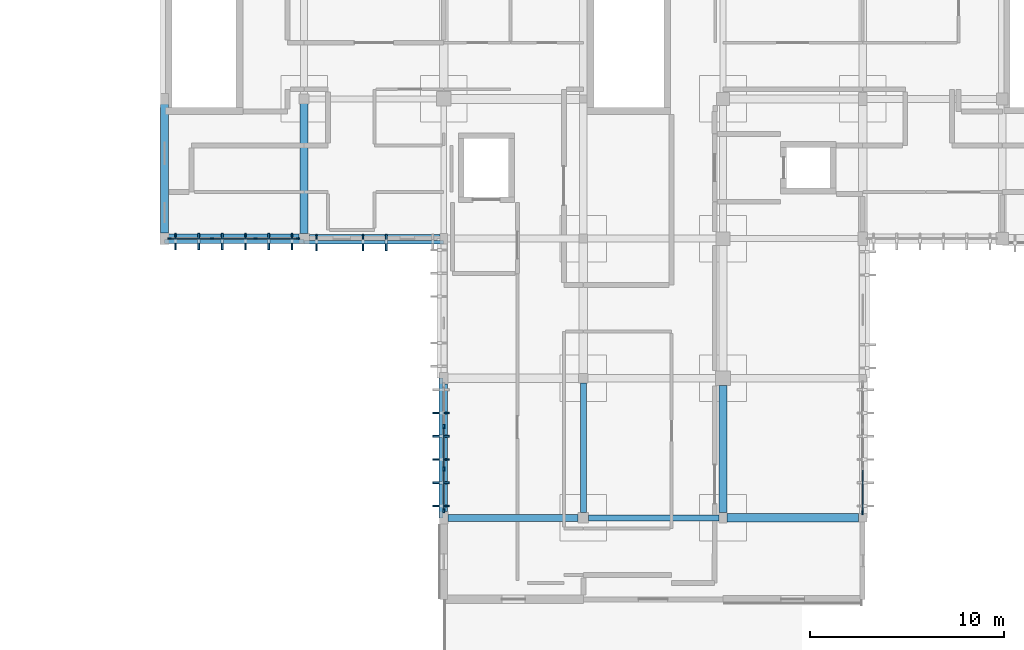
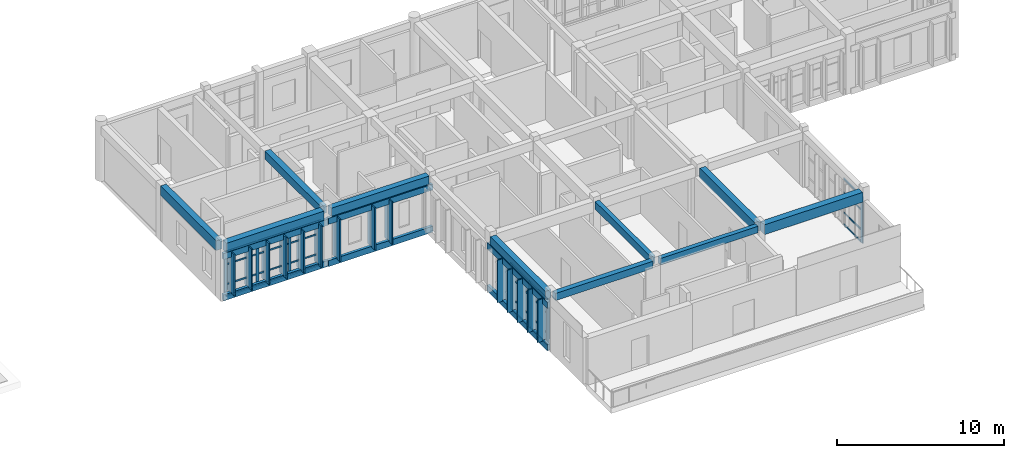
# One storey, part 2 of 19: 46 members, 16 beams, 3 elements without a shape of their own.
"""IFC4 building model written with IfcOpenShell, lengths in metres."""

from ifc_helpers import new_model, si_unit, direction, frame, origin, origin_2d, place, context, subcontext, project, spatial, rectangle, extrude, material, material_profile, profile_set, type_object, element, aggregate, save


model = new_model("IFC4")

# Units and contexts
model_context = context("Model", 3, precision=1e-05, world=origin(), true_north=direction((0.0, 1.0)))
body_context = subcontext(model_context, "Body", "Model", "MODEL_VIEW")
ifc_project = project(units=[si_unit("LENGTHUNIT", "METRE"), si_unit("AREAUNIT", "SQUARE_METRE"), si_unit("VOLUMEUNIT", "CUBIC_METRE"), si_unit("PLANEANGLEUNIT", "RADIAN"), si_unit("MASSUNIT", "GRAM", prefix="KILO")], contexts=[model_context])

# Site, building, storey
site_placement = place(None, origin())
site = spatial("IfcSite", under=ifc_project, at=site_placement, CompositionType="ELEMENT")
building_placement = place(site_placement, origin())
building = spatial("IfcBuilding", under=site, at=building_placement, Name="Steenspoor Specialist Clinic", CompositionType="ELEMENT")
storey_placement = place(building_placement, frame((0.0, 0.0, 21.60009765625)))
storey = spatial("IfcBuildingStorey", under=building, at=storey_placement, Name="L05", CompositionType="ELEMENT", Elevation=21.60009765625)

# Beams
ifc_material_1 = material(Name="Glulam GL28h", Category="wood")
ifc_material_profile_1 = material_profile(ifc_material_1, rectangle(XDim=0.199951171875, YDim=0.43994140625, at=origin_2d()), Name="GL28H-200X440")
ifc_profile_set_1 = profile_set([ifc_material_profile_1], Name="Glulam GL28h")
beam_type_1 = type_object("IfcBeamType", Name="BM-GL-200X440", PredefinedType="BEAM", material=ifc_profile_set_1)
for number, where, z_axis, x_axis, name in (
    (1, (73.85009765625, 79.550048828125, 0.139892578125), (0.0, 1.0, 0.0), (-1.0, 0.0, 0.0), "Timber Screen Tie Rail V4 L05 99"),
    (2, (73.85009765625, 79.550048828125, 3.22998046875), (0.0, 1.0, 0.0), (-1.0, 0.0, 0.0), "Timber Screen Tie Rail V4 L05 100"),
    (3, (74.0, 93.760009765625, 0.139892578125), (-1.0, 0.0, 0.0), (0.0, -1.0, 0.0), "Timber Screen Tie Rail V4 L05 114"),
    (4, (74.0, 93.760009765625, 3.219970703125), (-1.0, 0.0, 0.0), (0.0, -1.0, 0.0), "Timber Screen Tie Rail V4 L05 115"),
    (5, (66.800048828125, 93.800048828125, 0.139892578125), (-1.0, 0.0, 0.0), (0.0, -1.0, 0.0), "Timber Screen Tie Rail V4 L05 120"),
    (6, (66.800048828125, 93.800048828125, 3.14990234375), (-1.0, 0.0, 0.0), (0.0, -1.0, 0.0), "Timber Screen Tie Rail V4 L05 121"),
):
    element("IfcBeam", number, at=place(storey_placement, frame(where, z_axis=z_axis, x_axis=x_axis)), inside=storey, type_object=beam_type_1, Name=name, PredefinedType="BEAM", context=body_context, shape_type="SweptSolid", body=[
        extrude(rectangle(XDim=0.199951171875, YDim=0.43994140625, at=origin_2d()), origin(), (0.0, 0.0, 1.0), 7.199951171875),
    ])
ifc_material_2 = material(Name="Concrete C35/45", Category="concrete")
ifc_material_profile_2 = material_profile(ifc_material_2, rectangle(XDim=0.300048828125, YDim=0.47998046875, at=origin_2d()), Name="RC-BM-300X480")
ifc_profile_set_2 = profile_set([ifc_material_profile_2], Name="Concrete C35/45")
beam_type_2 = type_object("IfcBeamType", Name="BM-RC-300X480", PredefinedType="BEAM", material=ifc_profile_set_2)
beam_1_placement = place(storey_placement, frame((81.469970703125, 79.550048828125, 3.794921875), z_axis=(1.0, 0.0, 0.0), x_axis=(0.0, 1.0, 0.0)))
element("IfcBeam", 7, at=beam_1_placement, inside=storey, type_object=beam_type_2, Name="BM-V4-L05-X1005", PredefinedType="BEAM", context=body_context, shape_type="SweptSolid", body=[
    extrude(rectangle(XDim=0.300048828125, YDim=0.47998046875, at=origin_2d()), origin(), (0.0, 0.0, 1.0), 6.735107421875),
])
ifc_material_profile_3 = material_profile(ifc_material_2, rectangle(XDim=0.300048828125, YDim=0.550048828125, at=origin_2d()), Name="RC-BM-300X550")
ifc_profile_set_3 = profile_set([ifc_material_profile_3], Name="Concrete C35/45")
beam_type_3 = type_object("IfcBeamType", Name="BM-RC-300X550", PredefinedType="BEAM", material=ifc_profile_set_3)
beam_2_placement = place(storey_placement, frame((81.199951171875, 79.820068359375, 3.760009765625), z_axis=(0.0, 1.0, 0.0), x_axis=(-1.0, 0.0, 0.0)))
element("IfcBeam", 8, at=beam_2_placement, inside=storey, type_object=beam_type_3, Name="BM-V4-L05-Y1036", PredefinedType="BEAM", context=body_context, shape_type="SweptSolid", body=[
    extrude(rectangle(XDim=0.300048828125, YDim=0.550048828125, at=origin_2d()), origin(), (0.0, 0.0, 1.0), 6.684814453125),
])
ifc_material_profile_4 = material_profile(ifc_material_2, rectangle(XDim=0.35009765625, YDim=0.52001953125, at=origin_2d()), Name="RC-BM-350X520")
ifc_profile_set_4 = profile_set([ifc_material_profile_4], Name="Concrete C35/45")
beam_type_4 = type_object("IfcBeamType", Name="BM-RC-350X520", PredefinedType="BEAM", material=ifc_profile_set_4)
beam_3_placement = place(storey_placement, frame((74.219970703125, 79.550048828125, 3.77490234375), z_axis=(1.0, 0.0, 0.0), x_axis=(0.0, 1.0, 0.0)))
element("IfcBeam", 9, at=beam_3_placement, inside=storey, type_object=beam_type_4, Name="BM-V4-L05-X1004", PredefinedType="BEAM", context=body_context, shape_type="SweptSolid", body=[
    extrude(rectangle(XDim=0.35009765625, YDim=0.52001953125, at=origin_2d()), origin(), (0.0, 0.0, 1.0), 6.7099609375),
])
ifc_material_profile_5 = material_profile(ifc_material_2, rectangle(XDim=0.39990234375, YDim=0.580078125, at=origin_2d()), Name="RC-BM-400X580")
ifc_profile_set_5 = profile_set([ifc_material_profile_5], Name="Concrete C35/45")
beam_type_5 = type_object("IfcBeamType", Name="BM-RC-400X580", PredefinedType="BEAM", material=ifc_profile_set_5)
beam_4_placement = place(storey_placement, frame((66.800048828125, 94.219970703125, 3.744873046875), z_axis=(0.0, 1.0, 0.0), x_axis=(-1.0, 0.0, 0.0)))
element("IfcBeam", 10, at=beam_4_placement, inside=storey, type_object=beam_type_5, Name="BM-V4-L05-Y1030", PredefinedType="BEAM", context=body_context, shape_type="SweptSolid", body=[
    extrude(rectangle(XDim=0.39990234375, YDim=0.580078125, at=origin_2d()), origin(), (0.0, 0.0, 1.0), 6.68505859375),
])
beam_5_placement = place(storey_placement, frame((74.0, 79.8701171875, 3.744873046875), z_axis=(0.0, 1.0, 0.0), x_axis=(-1.0, 0.0, 0.0)))
element("IfcBeam", 11, at=beam_5_placement, inside=storey, type_object=beam_type_5, Name="BM-V4-L05-Y1032", PredefinedType="BEAM", context=body_context, shape_type="SweptSolid", body=[
    extrude(rectangle(XDim=0.39990234375, YDim=0.580078125, at=origin_2d()), origin(), (0.0, 0.0, 1.0), 6.5849609375),
])
ifc_material_profile_6 = material_profile(ifc_material_2, rectangle(XDim=0.39990234375, YDim=0.64990234375, at=origin_2d()), Name="RC-BM-400X650")
ifc_profile_set_6 = profile_set([ifc_material_profile_6], Name="Concrete C35/45")
beam_type_6 = type_object("IfcBeamType", Name="BM-RC-400X650", PredefinedType="BEAM", material=ifc_profile_set_6)
beam_6_placement = place(storey_placement, frame((67.070068359375, 93.949951171875, 3.7099609375), z_axis=(1.0, 0.0, 0.0), x_axis=(0.0, 1.0, 0.0)))
element("IfcBeam", 12, at=beam_6_placement, inside=storey, type_object=beam_type_6, Name="BM-V4-L05-X1011", PredefinedType="BEAM", context=body_context, shape_type="SweptSolid", body=[
    extrude(rectangle(XDim=0.39990234375, YDim=0.64990234375, at=origin_2d()), origin(), (0.0, 0.0, 1.0), 6.73486328125),
])
ifc_material_profile_7 = material_profile(ifc_material_2, rectangle(XDim=0.39990234375, YDim=0.699951171875, at=origin_2d()), Name="RC-BM-400X700")
ifc_profile_set_7 = profile_set([ifc_material_profile_7], Name="Concrete C35/45")
beam_type_7 = type_object("IfcBeamType", Name="BM-RC-400X700", PredefinedType="BEAM", material=ifc_profile_set_7)
beam_7_placement = place(storey_placement, frame((59.60009765625, 94.2451171875, 3.684814453125), z_axis=(0.0, 1.0, 0.0), x_axis=(-1.0, 0.0, 0.0)))
element("IfcBeam", 13, at=beam_7_placement, inside=storey, type_object=beam_type_7, Name="BM-V4-L05-Y1028", PredefinedType="BEAM", context=body_context, shape_type="SweptSolid", body=[
    extrude(rectangle(XDim=0.39990234375, YDim=0.699951171875, at=origin_2d()), origin(), (0.0, 0.0, 1.0), 6.634765625),
])
beam_8_placement = place(storey_placement, frame((88.39990234375, 79.820068359375, 3.684814453125), z_axis=(0.0, 1.0, 0.0), x_axis=(-1.0, 0.0, 0.0)))
element("IfcBeam", 14, at=beam_8_placement, inside=storey, type_object=beam_type_7, Name="BM-V4-L05-Y1040", PredefinedType="BEAM", context=body_context, shape_type="SweptSolid", body=[
    extrude(rectangle(XDim=0.39990234375, YDim=0.699951171875, at=origin_2d()), origin(), (0.0, 0.0, 1.0), 6.559814453125),
])
ifc_material_profile_8 = material_profile(ifc_material_2, rectangle(XDim=0.449951171875, YDim=0.719970703125, at=origin_2d()), Name="RC-BM-450X720")
ifc_profile_set_8 = profile_set([ifc_material_profile_8], Name="Concrete C35/45")
beam_type_8 = type_object("IfcBeamType", Name="BM-RC-450X720", PredefinedType="BEAM", material=ifc_profile_set_8)
beam_9_placement = place(storey_placement, frame((88.594970703125, 79.550048828125, 3.6748046875), z_axis=(1.0, 0.0, 0.0), x_axis=(0.0, 1.0, 0.0)))
element("IfcBeam", 15, at=beam_9_placement, inside=storey, type_object=beam_type_8, Name="BM-V4-L05-X1006", PredefinedType="BEAM", context=body_context, shape_type="SweptSolid", body=[
    extrude(rectangle(XDim=0.449951171875, YDim=0.719970703125, at=origin_2d()), origin(), (0.0, 0.0, 1.0), 6.784912109375),
])
beam_10_placement = place(storey_placement, frame((59.820068359375, 93.949951171875, 3.6748046875), z_axis=(1.0, 0.0, 0.0), x_axis=(0.0, 1.0, 0.0)))
element("IfcBeam", 16, at=beam_10_placement, inside=storey, type_object=beam_type_8, Name="BM-V4-L05-X1010", PredefinedType="BEAM", context=body_context, shape_type="SweptSolid", body=[
    extrude(rectangle(XDim=0.449951171875, YDim=0.719970703125, at=origin_2d()), origin(), (0.0, 0.0, 1.0), 6.7099609375),
])

# Curtain wall, members
ifc_material_3 = material(Name="Thermally broken aluminium and low-emissivity glass", Category="aluminium")
curtain_wall_type_1 = type_object("IfcCurtainWallType", Name="CW-TYP-420X355", PredefinedType="USERDEFINED", material=ifc_material_3)
curtain_wall_1_placement = place(storey_placement, origin())
curtain_wall_1 = element("IfcCurtainWall", 17, at=curtain_wall_1_placement, inside=storey, type_object=curtain_wall_type_1, Name="Unitised Curtain Wall CW-V4-L05-133", ObjectType="UNITISED GLAZING", PredefinedType="USERDEFINED")
ifc_material_4 = material(Name="Thermally broken aluminium 6063-T6", Category="aluminium")
ifc_material_profile_9 = material_profile(ifc_material_4, rectangle(XDim=0.080078125, YDim=0.179931640625, at=origin_2d()), Name="CWM-80X180")
ifc_profile_set_9 = profile_set([ifc_material_profile_9], Name="Thermally broken aluminium 6063-T6")
member_type_1 = type_object("IfcMemberType", Name="CW-MULL-80X180", PredefinedType="MULLION", material=ifc_profile_set_9)
member_1_placement = place(storey_placement, frame((66.485107421875, 93.949951171875, 0.0), z_axis=(0.0, 0.0, 1.0), x_axis=(0.0, -1.0, 0.0)))
member_1 = element("IfcMember", 18, at=member_1_placement, type_object=member_type_1, Name="CW-13 mullion 1", PredefinedType="MULLION", context=body_context, shape_type="SweptSolid", body=[
    extrude(rectangle(XDim=0.080078125, YDim=0.179931640625, at=origin_2d()), origin(), (0.0, 0.0, 1.0), 3.2998046875),
])
member_2_placement = place(storey_placement, frame((64.291748046875, 93.949951171875, 0.0), z_axis=(0.0, 0.0, 1.0), x_axis=(0.0, -1.0, 0.0)))
member_2 = element("IfcMember", 19, at=member_2_placement, type_object=member_type_1, Name="CW-13 mullion 2", PredefinedType="MULLION", context=body_context, shape_type="SweptSolid", body=[
    extrude(rectangle(XDim=0.080078125, YDim=0.179931640625, at=origin_2d()), origin(), (0.0, 0.0, 1.0), 3.2998046875),
])
member_3_placement = place(storey_placement, frame((62.058349609375, 93.949951171875, 0.0), z_axis=(0.0, 0.0, 1.0), x_axis=(0.0, -1.0, 0.0)))
member_3 = element("IfcMember", 20, at=member_3_placement, type_object=member_type_1, Name="CW-13 mullion 3", PredefinedType="MULLION", context=body_context, shape_type="SweptSolid", body=[
    extrude(rectangle(XDim=0.080078125, YDim=0.179931640625, at=origin_2d()), origin(), (0.0, 0.0, 1.0), 3.2998046875),
])
member_4_placement = place(storey_placement, frame((59.864990234375, 93.949951171875, 0.0), z_axis=(0.0, 0.0, 1.0), x_axis=(0.0, -1.0, 0.0)))
member_4 = element("IfcMember", 21, at=member_4_placement, type_object=member_type_1, Name="CW-13 mullion 4", PredefinedType="MULLION", context=body_context, shape_type="SweptSolid", body=[
    extrude(rectangle(XDim=0.080078125, YDim=0.179931640625, at=origin_2d()), origin(), (0.0, 0.0, 1.0), 3.2998046875),
])

curtain_wall_type_2 = type_object("IfcCurtainWallType", Name="CW-TYP-480X355", PredefinedType="USERDEFINED", material=ifc_material_3)
curtain_wall_2_placement = place(storey_placement, origin())
curtain_wall_2 = element("IfcCurtainWall", 22, at=curtain_wall_2_placement, inside=storey, type_object=curtain_wall_type_2, Name="Unitised Curtain Wall CW-V4-L05-132", ObjectType="UNITISED GLAZING", PredefinedType="USERDEFINED")
ifc_material_profile_10 = material_profile(ifc_material_4, rectangle(XDim=0.080078125, YDim=0.219970703125, at=origin_2d()), Name="CWM-80X220")
ifc_profile_set_10 = profile_set([ifc_material_profile_10], Name="Thermally broken aluminium 6063-T6")
member_type_2 = type_object("IfcMemberType", Name="CW-MULL-80X220", PredefinedType="MULLION", material=ifc_profile_set_10)
member_5_placement = place(storey_placement, frame((74.0, 79.9150390625, 0.0), z_axis=(0.0, 0.0, 1.0), x_axis=(-1.0, 0.0, 0.0)))
member_5 = element("IfcMember", 23, at=member_5_placement, type_object=member_type_2, Name="CW-12 mullion 1", PredefinedType="MULLION", context=body_context, shape_type="SweptSolid", body=[
    extrude(rectangle(XDim=0.080078125, YDim=0.219970703125, at=origin_2d()), origin(), (0.0, 0.0, 1.0), 3.3798828125),
])
member_6_placement = place(storey_placement, frame((74.0, 82.066650390625, 0.0), z_axis=(0.0, 0.0, 1.0), x_axis=(-1.0, 0.0, 0.0)))
member_6 = element("IfcMember", 24, at=member_6_placement, type_object=member_type_2, Name="CW-12 mullion 2", PredefinedType="MULLION", context=body_context, shape_type="SweptSolid", body=[
    extrude(rectangle(XDim=0.080078125, YDim=0.219970703125, at=origin_2d()), origin(), (0.0, 0.0, 1.0), 3.3798828125),
])
member_7_placement = place(storey_placement, frame((74.0, 84.25830078125, 0.0), z_axis=(0.0, 0.0, 1.0), x_axis=(-1.0, 0.0, 0.0)))
member_7 = element("IfcMember", 25, at=member_7_placement, type_object=member_type_2, Name="CW-12 mullion 3", PredefinedType="MULLION", context=body_context, shape_type="SweptSolid", body=[
    extrude(rectangle(XDim=0.080078125, YDim=0.219970703125, at=origin_2d()), origin(), (0.0, 0.0, 1.0), 3.3798828125),
])

# Curtain wall, member
curtain_wall_type_3 = type_object("IfcCurtainWallType", Name="CW-SCR-480X320", PredefinedType="USERDEFINED", material=ifc_material_3)
curtain_wall_3_placement = place(storey_placement, origin())
curtain_wall_3 = element("IfcCurtainWall", 26, at=curtain_wall_3_placement, inside=storey, type_object=curtain_wall_type_3, Name="Unitised Curtain Wall CW-V4-L05-138", ObjectType="UNITISED GLAZING", PredefinedType="USERDEFINED")
member_8_placement = place(storey_placement, frame((95.60009765625, 79.81494140625, 0.0), z_axis=(0.0, 0.0, 1.0), x_axis=(1.0, 0.0, 0.0)))
member_8 = element("IfcMember", 27, at=member_8_placement, type_object=member_type_2, Name="CW-18 mullion 4", PredefinedType="MULLION", context=body_context, shape_type="SweptSolid", body=[
    extrude(rectangle(XDim=0.080078125, YDim=0.219970703125, at=origin_2d()), origin(), (0.0, 0.0, 1.0), 3.3798828125),
])

# Member
ifc_material_profile_11 = material_profile(ifc_material_4, rectangle(XDim=0.06005859375, YDim=0.114990234375, at=origin_2d()), Name="CWT-60X115")
ifc_profile_set_11 = profile_set([ifc_material_profile_11], Name="Thermally broken aluminium 6063-T6")
member_type_3 = type_object("IfcMemberType", Name="CW-TRAN-60X115", PredefinedType="USERDEFINED", material=ifc_profile_set_11)
member_9_placement = place(storey_placement, frame((66.445068359375, 93.949951171875, 0.02978515625), z_axis=(-1.0, 0.0, 0.0), x_axis=(0.0, -1.0, 0.0)))
member_9 = element("IfcMember", 28, at=member_9_placement, type_object=member_type_3, Name="CW-13 transom 1.1", ObjectType="TRANSOM", PredefinedType="USERDEFINED", context=body_context, shape_type="SweptSolid", body=[
    extrude(rectangle(XDim=0.06005859375, YDim=0.114990234375, at=origin_2d()), origin(), (0.0, 0.0, 1.0), 2.11328125),
])

member_10_placement = place(storey_placement, frame((66.445068359375, 93.949951171875, 0.89990234375), z_axis=(-1.0, 0.0, 0.0), x_axis=(0.0, -1.0, 0.0)))
member_10 = element("IfcMember", 29, at=member_10_placement, type_object=member_type_3, Name="CW-13 transom 1.2", ObjectType="TRANSOM", PredefinedType="USERDEFINED", context=body_context, shape_type="SweptSolid", body=[
    extrude(rectangle(XDim=0.06005859375, YDim=0.114990234375, at=origin_2d()), origin(), (0.0, 0.0, 1.0), 2.11328125),
])

member_11_placement = place(storey_placement, frame((66.445068359375, 93.949951171875, 2.349853515625), z_axis=(-1.0, 0.0, 0.0), x_axis=(0.0, -1.0, 0.0)))
member_11 = element("IfcMember", 30, at=member_11_placement, type_object=member_type_3, Name="CW-13 transom 1.3", ObjectType="TRANSOM", PredefinedType="USERDEFINED", context=body_context, shape_type="SweptSolid", body=[
    extrude(rectangle(XDim=0.06005859375, YDim=0.114990234375, at=origin_2d()), origin(), (0.0, 0.0, 1.0), 2.11328125),
])

member_12_placement = place(storey_placement, frame((66.445068359375, 93.949951171875, 3.27001953125), z_axis=(-1.0, 0.0, 0.0), x_axis=(0.0, -1.0, 0.0)))
member_12 = element("IfcMember", 31, at=member_12_placement, type_object=member_type_3, Name="CW-13 transom 1.4", ObjectType="TRANSOM", PredefinedType="USERDEFINED", context=body_context, shape_type="SweptSolid", body=[
    extrude(rectangle(XDim=0.06005859375, YDim=0.114990234375, at=origin_2d()), origin(), (0.0, 0.0, 1.0), 2.11328125),
])

member_13_placement = place(storey_placement, frame((64.251708984375, 93.949951171875, 0.02978515625), z_axis=(-1.0, 0.0, 0.0), x_axis=(0.0, -1.0, 0.0)))
member_13 = element("IfcMember", 32, at=member_13_placement, type_object=member_type_3, Name="CW-13 transom 2.1", ObjectType="TRANSOM", PredefinedType="USERDEFINED", context=body_context, shape_type="SweptSolid", body=[
    extrude(rectangle(XDim=0.06005859375, YDim=0.114990234375, at=origin_2d()), origin(), (0.0, 0.0, 1.0), 2.1533203125),
])

member_14_placement = place(storey_placement, frame((64.251708984375, 93.949951171875, 0.89990234375), z_axis=(-1.0, 0.0, 0.0), x_axis=(0.0, -1.0, 0.0)))
member_14 = element("IfcMember", 33, at=member_14_placement, type_object=member_type_3, Name="CW-13 transom 2.2", ObjectType="TRANSOM", PredefinedType="USERDEFINED", context=body_context, shape_type="SweptSolid", body=[
    extrude(rectangle(XDim=0.06005859375, YDim=0.114990234375, at=origin_2d()), origin(), (0.0, 0.0, 1.0), 2.1533203125),
])

member_15_placement = place(storey_placement, frame((64.251708984375, 93.949951171875, 2.349853515625), z_axis=(-1.0, 0.0, 0.0), x_axis=(0.0, -1.0, 0.0)))
member_15 = element("IfcMember", 34, at=member_15_placement, type_object=member_type_3, Name="CW-13 transom 2.3", ObjectType="TRANSOM", PredefinedType="USERDEFINED", context=body_context, shape_type="SweptSolid", body=[
    extrude(rectangle(XDim=0.06005859375, YDim=0.114990234375, at=origin_2d()), origin(), (0.0, 0.0, 1.0), 2.1533203125),
])

member_16_placement = place(storey_placement, frame((64.251708984375, 93.949951171875, 3.27001953125), z_axis=(-1.0, 0.0, 0.0), x_axis=(0.0, -1.0, 0.0)))
member_16 = element("IfcMember", 35, at=member_16_placement, type_object=member_type_3, Name="CW-13 transom 2.4", ObjectType="TRANSOM", PredefinedType="USERDEFINED", context=body_context, shape_type="SweptSolid", body=[
    extrude(rectangle(XDim=0.06005859375, YDim=0.114990234375, at=origin_2d()), origin(), (0.0, 0.0, 1.0), 2.1533203125),
])

member_17_placement = place(storey_placement, frame((62.018310546875, 93.949951171875, 0.02978515625), z_axis=(-1.0, 0.0, 0.0), x_axis=(0.0, -1.0, 0.0)))
member_17 = element("IfcMember", 36, at=member_17_placement, type_object=member_type_3, Name="CW-13 transom 3.1", ObjectType="TRANSOM", PredefinedType="USERDEFINED", context=body_context, shape_type="SweptSolid", body=[
    extrude(rectangle(XDim=0.06005859375, YDim=0.114990234375, at=origin_2d()), origin(), (0.0, 0.0, 1.0), 2.11328125),
])

member_18_placement = place(storey_placement, frame((62.018310546875, 93.949951171875, 0.89990234375), z_axis=(-1.0, 0.0, 0.0), x_axis=(0.0, -1.0, 0.0)))
member_18 = element("IfcMember", 37, at=member_18_placement, type_object=member_type_3, Name="CW-13 transom 3.2", ObjectType="TRANSOM", PredefinedType="USERDEFINED", context=body_context, shape_type="SweptSolid", body=[
    extrude(rectangle(XDim=0.06005859375, YDim=0.114990234375, at=origin_2d()), origin(), (0.0, 0.0, 1.0), 2.11328125),
])

member_19_placement = place(storey_placement, frame((62.018310546875, 93.949951171875, 2.349853515625), z_axis=(-1.0, 0.0, 0.0), x_axis=(0.0, -1.0, 0.0)))
member_19 = element("IfcMember", 38, at=member_19_placement, type_object=member_type_3, Name="CW-13 transom 3.3", ObjectType="TRANSOM", PredefinedType="USERDEFINED", context=body_context, shape_type="SweptSolid", body=[
    extrude(rectangle(XDim=0.06005859375, YDim=0.114990234375, at=origin_2d()), origin(), (0.0, 0.0, 1.0), 2.11328125),
])

member_20_placement = place(storey_placement, frame((62.018310546875, 93.949951171875, 3.27001953125), z_axis=(-1.0, 0.0, 0.0), x_axis=(0.0, -1.0, 0.0)))
member_20 = element("IfcMember", 39, at=member_20_placement, type_object=member_type_3, Name="CW-13 transom 3.4", ObjectType="TRANSOM", PredefinedType="USERDEFINED", context=body_context, shape_type="SweptSolid", body=[
    extrude(rectangle(XDim=0.06005859375, YDim=0.114990234375, at=origin_2d()), origin(), (0.0, 0.0, 1.0), 2.11328125),
])

aggregate(curtain_wall_1, [member_1, member_2, member_3, member_4, member_9, member_10, member_11, member_12, member_13, member_14, member_15, member_16, member_17, member_18, member_19, member_20])

member_21_placement = place(storey_placement, frame((95.60009765625, 81.993408203125, 0.02978515625), z_axis=(0.0, -1.0, 0.0), x_axis=(1.0, 0.0, 0.0)))
member_21 = element("IfcMember", 40, at=member_21_placement, type_object=member_type_3, Name="CW-18 transom 3.1", ObjectType="TRANSOM", PredefinedType="USERDEFINED", context=body_context, shape_type="SweptSolid", body=[
    extrude(rectangle(XDim=0.06005859375, YDim=0.114990234375, at=origin_2d()), origin(), (0.0, 0.0, 1.0), 2.138427734375),
])

member_22_placement = place(storey_placement, frame((95.60009765625, 81.993408203125, 0.89990234375), z_axis=(0.0, -1.0, 0.0), x_axis=(1.0, 0.0, 0.0)))
member_22 = element("IfcMember", 41, at=member_22_placement, type_object=member_type_3, Name="CW-18 transom 3.2", ObjectType="TRANSOM", PredefinedType="USERDEFINED", context=body_context, shape_type="SweptSolid", body=[
    extrude(rectangle(XDim=0.06005859375, YDim=0.114990234375, at=origin_2d()), origin(), (0.0, 0.0, 1.0), 2.138427734375),
])

member_23_placement = place(storey_placement, frame((95.60009765625, 81.993408203125, 2.349853515625), z_axis=(0.0, -1.0, 0.0), x_axis=(1.0, 0.0, 0.0)))
member_23 = element("IfcMember", 42, at=member_23_placement, type_object=member_type_3, Name="CW-18 transom 3.3", ObjectType="TRANSOM", PredefinedType="USERDEFINED", context=body_context, shape_type="SweptSolid", body=[
    extrude(rectangle(XDim=0.06005859375, YDim=0.114990234375, at=origin_2d()), origin(), (0.0, 0.0, 1.0), 2.138427734375),
])

member_24_placement = place(storey_placement, frame((95.60009765625, 81.993408203125, 3.349853515625), z_axis=(0.0, -1.0, 0.0), x_axis=(1.0, 0.0, 0.0)))
member_24 = element("IfcMember", 43, at=member_24_placement, type_object=member_type_3, Name="CW-18 transom 3.4", ObjectType="TRANSOM", PredefinedType="USERDEFINED", context=body_context, shape_type="SweptSolid", body=[
    extrude(rectangle(XDim=0.06005859375, YDim=0.114990234375, at=origin_2d()), origin(), (0.0, 0.0, 1.0), 2.138427734375),
])

aggregate(curtain_wall_3, [member_8, member_21, member_22, member_23, member_24])

ifc_material_profile_12 = material_profile(ifc_material_4, rectangle(XDim=0.06494140625, YDim=0.1298828125, at=origin_2d()), Name="CWT-65X130")
ifc_profile_set_12 = profile_set([ifc_material_profile_12], Name="Thermally broken aluminium 6063-T6")
member_type_4 = type_object("IfcMemberType", Name="CW-TRAN-65X130", PredefinedType="USERDEFINED", material=ifc_profile_set_12)
member_25_placement = place(storey_placement, frame((74.0, 79.955078125, 0.032470703125), z_axis=(0.0, 1.0, 0.0), x_axis=(-1.0, 0.0, 0.0)))
member_25 = element("IfcMember", 44, at=member_25_placement, type_object=member_type_4, Name="CW-12 transom 1.1", ObjectType="TRANSOM", PredefinedType="USERDEFINED", context=body_context, shape_type="SweptSolid", body=[
    extrude(rectangle(XDim=0.06494140625, YDim=0.1298828125, at=origin_2d()), origin(), (0.0, 0.0, 1.0), 2.071533203125),
])

member_26_placement = place(storey_placement, frame((74.0, 79.955078125, 0.89990234375), z_axis=(0.0, 1.0, 0.0), x_axis=(-1.0, 0.0, 0.0)))
member_26 = element("IfcMember", 45, at=member_26_placement, type_object=member_type_4, Name="CW-12 transom 1.2", ObjectType="TRANSOM", PredefinedType="USERDEFINED", context=body_context, shape_type="SweptSolid", body=[
    extrude(rectangle(XDim=0.06494140625, YDim=0.1298828125, at=origin_2d()), origin(), (0.0, 0.0, 1.0), 2.071533203125),
])

member_27_placement = place(storey_placement, frame((74.0, 79.955078125, 2.349853515625), z_axis=(0.0, 1.0, 0.0), x_axis=(-1.0, 0.0, 0.0)))
member_27 = element("IfcMember", 46, at=member_27_placement, type_object=member_type_4, Name="CW-12 transom 1.3", ObjectType="TRANSOM", PredefinedType="USERDEFINED", context=body_context, shape_type="SweptSolid", body=[
    extrude(rectangle(XDim=0.06494140625, YDim=0.1298828125, at=origin_2d()), origin(), (0.0, 0.0, 1.0), 2.071533203125),
])

member_28_placement = place(storey_placement, frame((74.0, 79.955078125, 3.347412109375), z_axis=(0.0, 1.0, 0.0), x_axis=(-1.0, 0.0, 0.0)))
member_28 = element("IfcMember", 47, at=member_28_placement, type_object=member_type_4, Name="CW-12 transom 1.4", ObjectType="TRANSOM", PredefinedType="USERDEFINED", context=body_context, shape_type="SweptSolid", body=[
    extrude(rectangle(XDim=0.06494140625, YDim=0.1298828125, at=origin_2d()), origin(), (0.0, 0.0, 1.0), 2.071533203125),
])

member_29_placement = place(storey_placement, frame((74.0, 82.106689453125, 0.032470703125), z_axis=(0.0, 1.0, 0.0), x_axis=(-1.0, 0.0, 0.0)))
member_29 = element("IfcMember", 48, at=member_29_placement, type_object=member_type_4, Name="CW-12 transom 2.1", ObjectType="TRANSOM", PredefinedType="USERDEFINED", context=body_context, shape_type="SweptSolid", body=[
    extrude(rectangle(XDim=0.06494140625, YDim=0.1298828125, at=origin_2d()), origin(), (0.0, 0.0, 1.0), 2.111572265625),
])

member_30_placement = place(storey_placement, frame((74.0, 82.106689453125, 0.89990234375), z_axis=(0.0, 1.0, 0.0), x_axis=(-1.0, 0.0, 0.0)))
member_30 = element("IfcMember", 49, at=member_30_placement, type_object=member_type_4, Name="CW-12 transom 2.2", ObjectType="TRANSOM", PredefinedType="USERDEFINED", context=body_context, shape_type="SweptSolid", body=[
    extrude(rectangle(XDim=0.06494140625, YDim=0.1298828125, at=origin_2d()), origin(), (0.0, 0.0, 1.0), 2.111572265625),
])

member_31_placement = place(storey_placement, frame((74.0, 82.106689453125, 2.349853515625), z_axis=(0.0, 1.0, 0.0), x_axis=(-1.0, 0.0, 0.0)))
member_31 = element("IfcMember", 50, at=member_31_placement, type_object=member_type_4, Name="CW-12 transom 2.3", ObjectType="TRANSOM", PredefinedType="USERDEFINED", context=body_context, shape_type="SweptSolid", body=[
    extrude(rectangle(XDim=0.06494140625, YDim=0.1298828125, at=origin_2d()), origin(), (0.0, 0.0, 1.0), 2.111572265625),
])

member_32_placement = place(storey_placement, frame((74.0, 82.106689453125, 3.347412109375), z_axis=(0.0, 1.0, 0.0), x_axis=(-1.0, 0.0, 0.0)))
member_32 = element("IfcMember", 51, at=member_32_placement, type_object=member_type_4, Name="CW-12 transom 2.4", ObjectType="TRANSOM", PredefinedType="USERDEFINED", context=body_context, shape_type="SweptSolid", body=[
    extrude(rectangle(XDim=0.06494140625, YDim=0.1298828125, at=origin_2d()), origin(), (0.0, 0.0, 1.0), 2.111572265625),
])

aggregate(curtain_wall_2, [member_5, member_6, member_7, member_25, member_26, member_27, member_28, member_29, member_30, member_31, member_32])

# Members
ifc_material_profile_13 = material_profile(ifc_material_1, rectangle(XDim=0.090087890625, YDim=0.85009765625, at=origin_2d()), Name="GL28H-90X850")
ifc_profile_set_13 = profile_set([ifc_material_profile_13], Name="Glulam GL28h")
member_type_5 = type_object("IfcMemberType", Name="MEM-SCREEN-GL850", PredefinedType="STRUT", material=ifc_profile_set_13)
for number, where, z_axis, x_axis, name in (
    (52, (73.85009765625, 80.16259765625, 0.27001953125), (0.0, 0.0, 1.0), (0.0, 1.0, 0.0), "Glulam Timber Screen Fin SCR-FIN-V4-L05-0101"),
    (53, (73.85009765625, 81.362548828125, 0.27001953125), (0.0, 0.0, 1.0), (0.0, 1.0, 0.0), "Glulam Timber Screen Fin SCR-FIN-V4-L05-0102"),
    (54, (73.85009765625, 82.5625, 0.27001953125), (0.0, 0.0, 1.0), (0.0, 1.0, 0.0), "Glulam Timber Screen Fin SCR-FIN-V4-L05-0103"),
    (55, (73.85009765625, 83.762451171875, 0.27001953125), (0.0, 0.0, 1.0), (0.0, 1.0, 0.0), "Glulam Timber Screen Fin SCR-FIN-V4-L05-0104"),
    (56, (73.85009765625, 84.96240234375, 0.27001953125), (0.0, 0.0, 1.0), (0.0, 1.0, 0.0), "Glulam Timber Screen Fin SCR-FIN-V4-L05-0105"),
):
    element("IfcMember", number, at=place(storey_placement, frame(where, z_axis=z_axis, x_axis=x_axis)), inside=storey, type_object=member_type_5, Name=name, PredefinedType="STRUT", context=body_context, shape_type="SweptSolid", body=[
        extrude(rectangle(XDim=0.090087890625, YDim=0.85009765625, at=origin_2d()), origin(), (0.0, 0.0, 1.0), 3.099853515625),
    ])
for number, where, z_axis, x_axis, name in (
    (57, (71.03759765625, 93.760009765625, 0.27001953125), (0.0, 0.0, 1.0), (-1.0, 0.0, 0.0), "Glulam Timber Screen Fin SCR-FIN-V4-L05-0117"),
    (58, (69.83740234375, 93.760009765625, 0.27001953125), (0.0, 0.0, 1.0), (-1.0, 0.0, 0.0), "Glulam Timber Screen Fin SCR-FIN-V4-L05-0118"),
    (59, (67.4375, 93.760009765625, 0.27001953125), (0.0, 0.0, 1.0), (-1.0, 0.0, 0.0), "Glulam Timber Screen Fin SCR-FIN-V4-L05-0119"),
):
    element("IfcMember", number, at=place(storey_placement, frame(where, z_axis=z_axis, x_axis=x_axis)), inside=storey, type_object=member_type_5, Name=name, PredefinedType="STRUT", context=body_context, shape_type="SweptSolid", body=[
        extrude(rectangle(XDim=0.090087890625, YDim=0.85009765625, at=origin_2d()), origin(), (0.0, 0.0, 1.0), 3.08984375),
    ])
for number, where, z_axis, x_axis, name in (
    (60, (66.175048828125, 93.800048828125, 0.27001953125), (0.0, 0.0, 1.0), (-1.0, 0.0, 0.0), "Glulam Timber Screen Fin SCR-FIN-V4-L05-0122"),
    (61, (64.97509765625, 93.800048828125, 0.27001953125), (0.0, 0.0, 1.0), (-1.0, 0.0, 0.0), "Glulam Timber Screen Fin SCR-FIN-V4-L05-0123"),
    (62, (63.77490234375, 93.800048828125, 0.27001953125), (0.0, 0.0, 1.0), (-1.0, 0.0, 0.0), "Glulam Timber Screen Fin SCR-FIN-V4-L05-0124"),
    (63, (62.574951171875, 93.800048828125, 0.27001953125), (0.0, 0.0, 1.0), (-1.0, 0.0, 0.0), "Glulam Timber Screen Fin SCR-FIN-V4-L05-0125"),
    (64, (61.375, 93.800048828125, 0.27001953125), (0.0, 0.0, 1.0), (-1.0, 0.0, 0.0), "Glulam Timber Screen Fin SCR-FIN-V4-L05-0126"),
    (65, (60.175048828125, 93.800048828125, 0.27001953125), (0.0, 0.0, 1.0), (-1.0, 0.0, 0.0), "Glulam Timber Screen Fin SCR-FIN-V4-L05-0127"),
):
    element("IfcMember", number, at=place(storey_placement, frame(where, z_axis=z_axis, x_axis=x_axis)), inside=storey, type_object=member_type_5, Name=name, PredefinedType="STRUT", context=body_context, shape_type="SweptSolid", body=[
        extrude(rectangle(XDim=0.090087890625, YDim=0.85009765625, at=origin_2d()), origin(), (0.0, 0.0, 1.0), 3.019775390625),
    ])

save(model, "model.ifc")
